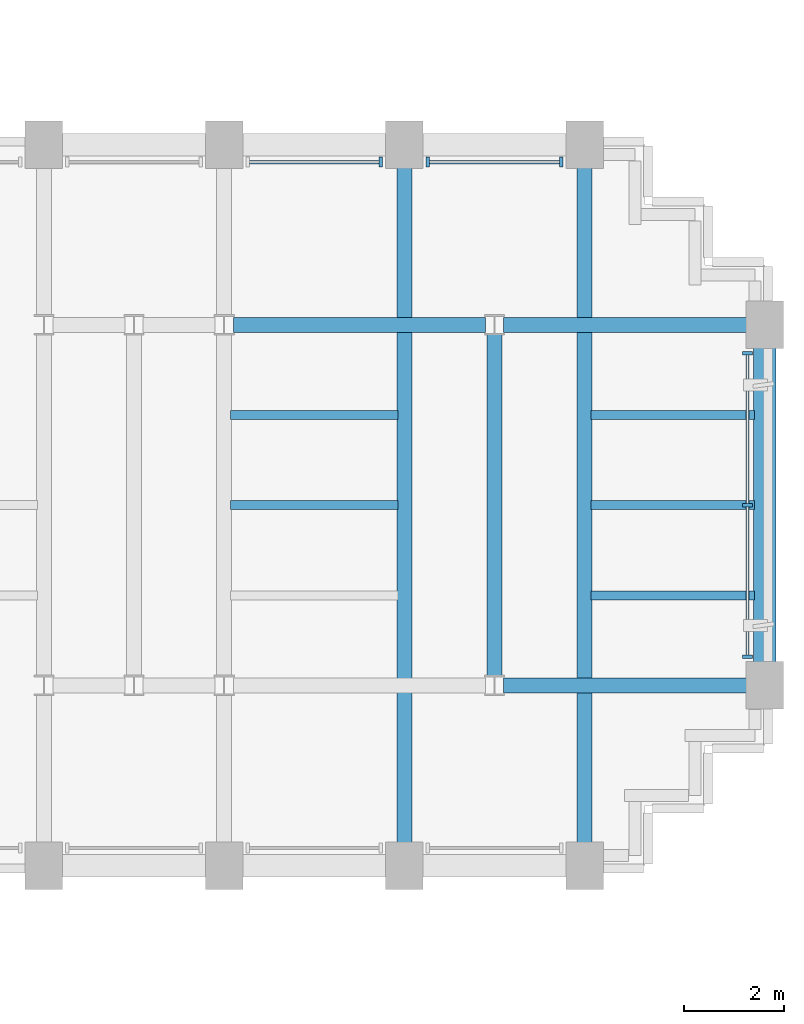
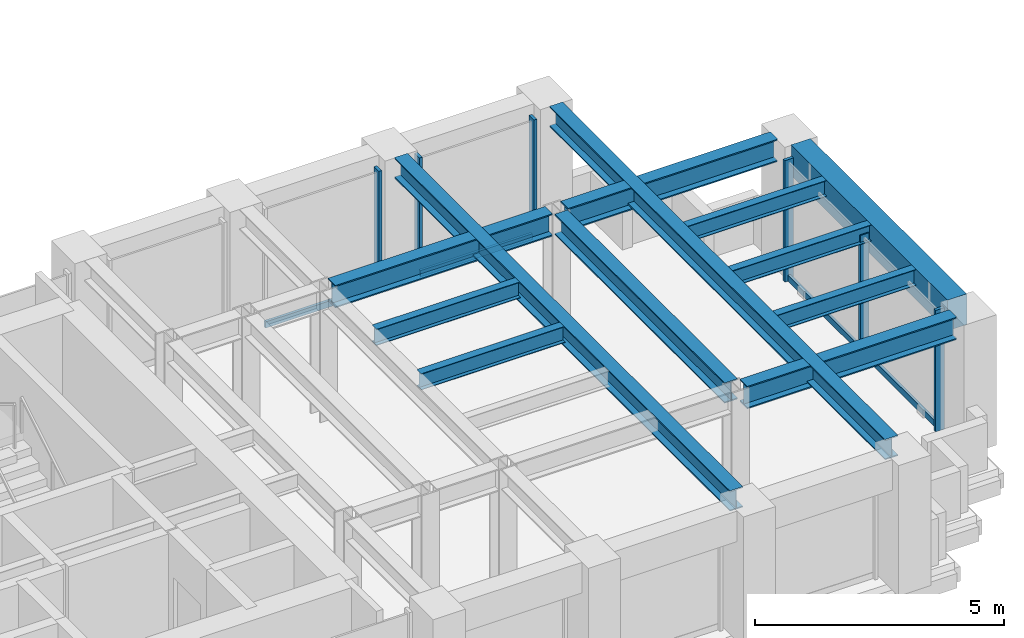
# One storey, part 6 of 16: 12 beams, 10 members, 3 elements without a shape of their own.
"""IFC4 building model written with IfcOpenShell, lengths in metres."""

from ifc_helpers import new_model, si_unit, direction, frame, origin, origin_2d, place, context, subcontext, project, spatial, rectangle, i_section, extrude, source, transform, mapped, material, material_profile, profile_set, type_object, element, aggregate, save


model = new_model("IFC4")

# Units and contexts
model_context = context("Model", 3, precision=1e-05, world=origin(), true_north=direction((0.0, 1.0)))
body_context = subcontext(model_context, "Body", "Model", "MODEL_VIEW")
ifc_project = project(units=[si_unit("LENGTHUNIT", "METRE"), si_unit("AREAUNIT", "SQUARE_METRE"), si_unit("VOLUMEUNIT", "CUBIC_METRE"), si_unit("PLANEANGLEUNIT", "RADIAN"), si_unit("MASSUNIT", "GRAM", prefix="KILO")], contexts=[model_context])

# Site, building, storey
site_placement = place(None, origin())
site = spatial("IfcSite", under=ifc_project, at=site_placement, CompositionType="ELEMENT")
building_placement = place(site_placement, origin())
building = spatial("IfcBuilding", under=site, at=building_placement, Name="Keilestroom Media Tower", CompositionType="ELEMENT")
storey_placement = place(building_placement, frame((0.0, 0.0, 71.39990234375)))
storey = spatial("IfcBuildingStorey", under=building, at=storey_placement, Name="L18", CompositionType="ELEMENT", Elevation=71.39990234375)

# Beams
ifc_material_1 = material(Name="Precast concrete C40/50", Category="concrete")
ifc_material_profile_1 = material_profile(ifc_material_1, rectangle(XDim=0.449951171875, YDim=0.75, at=origin_2d()), Name="PC 450x750")
ifc_profile_set_1 = profile_set([ifc_material_profile_1], Name="Precast concrete C40/50")
beam_type_1 = type_object("IfcBeamType", Name="Perimeter-Spandrel-Beam-PC-450x750", PredefinedType="SPANDREL", material=ifc_profile_set_1)
shared_shape_1 = source(origin(), body_context, "Body", "SweptSolid", [
    extrude(rectangle(XDim=0.449951171875, YDim=0.75, at=origin_2d()), origin(), (0.0, 0.0, 1.0), 6.2900390625),
])
beam_1_placement = place(storey_placement, frame((28.800048828125, -3.14501953125, 2.8251953125), z_axis=(0.0, 1.0, 0.0), x_axis=(-1.0, 0.0, 0.0)))
element("IfcBeam", 1, at=beam_1_placement, inside=storey, type_object=beam_type_1, Name="L18 Beam SPB-1 BM-L18-NS-086", PredefinedType="SPANDREL", context=body_context, shape_type="MappedRepresentation", body=[
    mapped(shared_shape_1, transform((0.0, 0.0, 0.0), x_axis=(1.0, 0.0, 0.0), y_axis=(0.0, 1.0, 0.0), z_axis=(0.0, 0.0, 1.0), scale=1.0)),
])
ifc_material_2 = material(Name="Steel S355", Category="steel")
ifc_material_profile_2 = material_profile(ifc_material_2, i_section(OverallWidth=0.300048828125, OverallDepth=0.550048828125, WebThickness=0.012939453125, FlangeThickness=0.029052734375, at=origin_2d()), Name="HEB 550")
ifc_profile_set_2 = profile_set([ifc_material_profile_2], Name="Steel S355")
beam_type_2 = type_object("IfcBeamType", Name="Primary-Structural-Girder-HEB-550", PredefinedType="BEAM", material=ifc_profile_set_2)
shared_shape_2 = source(origin(), body_context, "Body", "SweptSolid", [
    extrude(i_section(OverallWidth=0.300048828125, OverallDepth=0.550048828125, WebThickness=0.012939453125, FlangeThickness=0.029052734375, at=origin_2d()), origin(), (0.0, 0.0, 1.0), 4.863037109375),
])
for number, where, z_axis, x_axis, name in (
    (2, (23.58203125, -3.60009765625, 2.925048828125), (1.0, 0.0, 0.0), (0.0, 1.0, 0.0), "L18 Beam BG-5 BM-L18-EW-025"),
    (3, (23.58203125, 3.60009765625, 2.925048828125), (1.0, 0.0, 0.0), (0.0, 1.0, 0.0), "L18 Beam BG-5 BM-L18-EW-033"),
):
    element("IfcBeam", number, at=place(storey_placement, frame(where, z_axis=z_axis, x_axis=x_axis)), inside=storey, type_object=beam_type_2, Name=name, PredefinedType="BEAM", context=body_context, shape_type="MappedRepresentation", body=[
        mapped(shared_shape_2, transform((0.0, 0.0, 0.0), x_axis=(1.0, 0.0, 0.0), y_axis=(0.0, 1.0, 0.0), z_axis=(0.0, 0.0, 1.0), scale=1.0)),
    ])
shared_shape_3 = source(origin(), body_context, "Body", "SweptSolid", [
    extrude(i_section(OverallWidth=0.300048828125, OverallDepth=0.550048828125, WebThickness=0.012939453125, FlangeThickness=0.029052734375, at=origin_2d()), origin(), (0.0, 0.0, 1.0), 5.0361328125),
])
beam_2_placement = place(storey_placement, frame((18.181884765625, 3.60009765625, 2.925048828125), z_axis=(1.0, 0.0, 0.0), x_axis=(0.0, 1.0, 0.0)))
element("IfcBeam", 4, at=beam_2_placement, inside=storey, type_object=beam_type_2, Name="L18 Beam BG-5 BM-L18-EW-032", PredefinedType="BEAM", context=body_context, shape_type="MappedRepresentation", body=[
    mapped(shared_shape_3, transform((0.0, 0.0, 0.0), x_axis=(1.0, 0.0, 0.0), y_axis=(0.0, 1.0, 0.0), z_axis=(0.0, 0.0, 1.0), scale=1.0)),
])
ifc_material_profile_3 = material_profile(ifc_material_2, i_section(OverallWidth=0.300048828125, OverallDepth=0.5, WebThickness=0.012451171875, FlangeThickness=0.028076171875, at=origin_2d()), Name="HEB 500")
ifc_profile_set_3 = profile_set([ifc_material_profile_3], Name="Steel S355")
beam_type_3 = type_object("IfcBeamType", Name="Primary-Structural-Girder-HEB-500", PredefinedType="BEAM", material=ifc_profile_set_3)
shared_shape_4 = source(origin(), body_context, "Body", "SweptSolid", [
    extrude(i_section(OverallWidth=0.300048828125, OverallDepth=0.5, WebThickness=0.012451171875, FlangeThickness=0.028076171875, at=origin_2d()), origin(), (0.0, 0.0, 1.0), 13.490234375),
])
for number, where, z_axis, x_axis, name in (
    (5, (21.60009765625, -6.7451171875, 2.9501953125), (0.0, 1.0, 0.0), (-1.0, 0.0, 0.0), "L18 Beam BG-6 BM-L18-NS-083"),
    (6, (25.199951171875, -6.7451171875, 2.9501953125), (0.0, 1.0, 0.0), (-1.0, 0.0, 0.0), "L18 Beam BG-6 BM-L18-NS-085"),
):
    element("IfcBeam", number, at=place(storey_placement, frame(where, z_axis=z_axis, x_axis=x_axis)), inside=storey, type_object=beam_type_3, Name=name, PredefinedType="BEAM", context=body_context, shape_type="MappedRepresentation", body=[
        mapped(shared_shape_4, transform((0.0, 0.0, 0.0), x_axis=(1.0, 0.0, 0.0), y_axis=(0.0, 1.0, 0.0), z_axis=(0.0, 0.0, 1.0), scale=1.0)),
    ])
shared_shape_5 = source(origin(), body_context, "Body", "SweptSolid", [
    extrude(i_section(OverallWidth=0.300048828125, OverallDepth=0.5, WebThickness=0.012451171875, FlangeThickness=0.028076171875, at=origin_2d()), origin(), (0.0, 0.0, 1.0), 6.8330078125),
])
beam_3_placement = place(storey_placement, frame((23.39990234375, -3.41650390625, 2.9501953125), z_axis=(0.0, 1.0, 0.0), x_axis=(-1.0, 0.0, 0.0)))
element("IfcBeam", 7, at=beam_3_placement, inside=storey, type_object=beam_type_3, Name="L18 Beam BG-6 BM-L18-NS-084", PredefinedType="BEAM", context=body_context, shape_type="MappedRepresentation", body=[
    mapped(shared_shape_5, transform((0.0, 0.0, 0.0), x_axis=(1.0, 0.0, 0.0), y_axis=(0.0, 1.0, 0.0), z_axis=(0.0, 0.0, 1.0), scale=1.0)),
])
ifc_material_profile_4 = material_profile(ifc_material_2, i_section(OverallWidth=0.179931640625, OverallDepth=0.39990234375, WebThickness=0.008544921875, FlangeThickness=0.013427734375, at=origin_2d()), Name="IPE 400")
ifc_profile_set_4 = profile_set([ifc_material_profile_4], Name="Steel S355")
beam_type_4 = type_object("IfcBeamType", Name="Secondary-Floor-Joist-IPE-400", PredefinedType="JOIST", material=ifc_profile_set_4)
shared_shape_6 = source(origin(), body_context, "Body", "SweptSolid", [
    extrude(i_section(OverallWidth=0.179931640625, OverallDepth=0.39990234375, WebThickness=0.008544921875, FlangeThickness=0.013427734375, at=origin_2d()), origin(), (0.0, 0.0, 1.0), 3.264892578125),
])
for number, where, z_axis, x_axis, name in (
    (8, (25.330078125, -1.800048828125, 3.0), (1.0, 0.0, 0.0), (0.0, 1.0, 0.0), "L18 Beam BJ-4 JST-L18-095"),
    (9, (25.330078125, 0.0, 3.0), (1.0, 0.0, 0.0), (0.0, 1.0, 0.0), "L18 Beam BJ-4 JST-L18-102"),
    (10, (25.330078125, 1.800048828125, 3.0), (1.0, 0.0, 0.0), (0.0, 1.0, 0.0), "L18 Beam BJ-4 JST-L18-109"),
):
    element("IfcBeam", number, at=place(storey_placement, frame(where, z_axis=z_axis, x_axis=x_axis)), inside=storey, type_object=beam_type_4, Name=name, PredefinedType="JOIST", context=body_context, shape_type="MappedRepresentation", body=[
        mapped(shared_shape_6, transform((0.0, 0.0, 0.0), x_axis=(1.0, 0.0, 0.0), y_axis=(0.0, 1.0, 0.0), z_axis=(0.0, 0.0, 1.0), scale=1.0)),
    ])
shared_shape_7 = source(origin(), body_context, "Body", "SweptSolid", [
    extrude(i_section(OverallWidth=0.179931640625, OverallDepth=0.39990234375, WebThickness=0.008544921875, FlangeThickness=0.013427734375, at=origin_2d()), origin(), (0.0, 0.0, 1.0), 3.340087890625),
])
for number, where, z_axis, x_axis, name in (
    (11, (18.1298828125, 0.0, 3.0), (1.0, 0.0, 0.0), (0.0, 1.0, 0.0), "L18 Beam BJ-4 JST-L18-101"),
    (12, (18.1298828125, 1.800048828125, 3.0), (1.0, 0.0, 0.0), (0.0, 1.0, 0.0), "L18 Beam BJ-4 JST-L18-108"),
):
    element("IfcBeam", number, at=place(storey_placement, frame(where, z_axis=z_axis, x_axis=x_axis)), inside=storey, type_object=beam_type_4, Name=name, PredefinedType="JOIST", context=body_context, shape_type="MappedRepresentation", body=[
        mapped(shared_shape_7, transform((0.0, 0.0, 0.0), x_axis=(1.0, 0.0, 0.0), y_axis=(0.0, 1.0, 0.0), z_axis=(0.0, 0.0, 1.0), scale=1.0)),
    ])

# Curtain wall, members
ifc_material_3 = material(Name="Anodised Aluminium Alloy", Category="aluminium")
curtain_wall_type = type_object("IfcCurtainWallType", Name="Unitised-Curtain-Wall-CW-1", PredefinedType="NOTDEFINED", material=ifc_material_3)
curtain_wall_1_placement = place(storey_placement, origin())
curtain_wall_1 = element("IfcCurtainWall", 13, at=curtain_wall_1_placement, inside=storey, type_object=curtain_wall_type, Name="L18 Curtain Wall CW-1 CW-L18-E-1", PredefinedType="NOTDEFINED")
ifc_material_profile_5 = material_profile(ifc_material_3, rectangle(XDim=0.070068359375, YDim=0.199951171875, at=origin_2d()), Name="ALU MULLION 70x200")
ifc_profile_set_5 = profile_set([ifc_material_profile_5], Name="Anodised Aluminium Alloy")
member_type_1 = type_object("IfcMemberType", Name="Curtain-Wall-Mullion-CW-1", PredefinedType="MULLION", material=ifc_profile_set_5)
shared_shape_8 = source(origin(), body_context, "Body", "SweptSolid", [
    extrude(rectangle(XDim=0.070068359375, YDim=0.199951171875, at=origin_2d()), origin(), (0.0, 0.0, 1.0), 2.97998046875),
])
member_1_placement = place(storey_placement, frame((28.449951171875, -3.030029296875, 0.0), z_axis=(0.0, 0.0, 1.0), x_axis=(0.0, 1.0, 0.0)))
member_1 = element("IfcMember", 14, at=member_1_placement, type_object=member_type_1, Name="CW-1 Mullion 00", PredefinedType="MULLION", context=body_context, shape_type="MappedRepresentation", body=[
    mapped(shared_shape_8, transform((0.0, 0.0, 0.0), x_axis=(1.0, 0.0, 0.0), y_axis=(0.0, 1.0, 0.0), z_axis=(0.0, 0.0, 1.0), scale=1.0)),
])
member_2_placement = place(storey_placement, frame((28.449951171875, 0.0, 0.0), z_axis=(0.0, 0.0, 1.0), x_axis=(0.0, 1.0, 0.0)))
member_2 = element("IfcMember", 15, at=member_2_placement, type_object=member_type_1, Name="CW-1 Mullion 01", PredefinedType="MULLION", context=body_context, shape_type="MappedRepresentation", body=[
    mapped(shared_shape_8, transform((0.0, 0.0, 0.0), x_axis=(1.0, 0.0, 0.0), y_axis=(0.0, 1.0, 0.0), z_axis=(0.0, 0.0, 1.0), scale=1.0)),
])
member_3_placement = place(storey_placement, frame((28.449951171875, 3.030029296875, 0.0), z_axis=(0.0, 0.0, 1.0), x_axis=(0.0, 1.0, 0.0)))
member_3 = element("IfcMember", 16, at=member_3_placement, type_object=member_type_1, Name="CW-1 Mullion 02", PredefinedType="MULLION", context=body_context, shape_type="MappedRepresentation", body=[
    mapped(shared_shape_8, transform((0.0, 0.0, 0.0), x_axis=(1.0, 0.0, 0.0), y_axis=(0.0, 1.0, 0.0), z_axis=(0.0, 0.0, 1.0), scale=1.0)),
])

# Curtain wall, member
curtain_wall_2_placement = place(storey_placement, origin())
curtain_wall_2 = element("IfcCurtainWall", 17, at=curtain_wall_2_placement, inside=storey, type_object=curtain_wall_type, Name="L18 Curtain Wall CW-1 CW-L18-NE-3", PredefinedType="NOTDEFINED")
member_4_placement = place(storey_placement, frame((21.1298828125, 6.85009765625, 0.0), z_axis=(0.0, 0.0, 1.0), x_axis=(1.0, 0.0, 0.0)))
member_4 = element("IfcMember", 18, at=member_4_placement, type_object=member_type_1, Name="CW-1 Mullion 01", PredefinedType="MULLION", context=body_context, shape_type="MappedRepresentation", body=[
    mapped(shared_shape_8, transform((0.0, 0.0, 0.0), x_axis=(1.0, 0.0, 0.0), y_axis=(0.0, 1.0, 0.0), z_axis=(0.0, 0.0, 1.0), scale=1.0)),
])

# Curtain wall, members
curtain_wall_3_placement = place(storey_placement, origin())
curtain_wall_3 = element("IfcCurtainWall", 19, at=curtain_wall_3_placement, inside=storey, type_object=curtain_wall_type, Name="L18 Curtain Wall CW-1 CW-L18-NE-4", PredefinedType="NOTDEFINED")
member_5_placement = place(storey_placement, frame((22.070068359375, 6.85009765625, 0.0), z_axis=(0.0, 0.0, 1.0), x_axis=(1.0, 0.0, 0.0)))
member_5 = element("IfcMember", 20, at=member_5_placement, type_object=member_type_1, Name="CW-1 Mullion 00", PredefinedType="MULLION", context=body_context, shape_type="MappedRepresentation", body=[
    mapped(shared_shape_8, transform((0.0, 0.0, 0.0), x_axis=(1.0, 0.0, 0.0), y_axis=(0.0, 1.0, 0.0), z_axis=(0.0, 0.0, 1.0), scale=1.0)),
])
member_6_placement = place(storey_placement, frame((24.72998046875, 6.85009765625, 0.0), z_axis=(0.0, 0.0, 1.0), x_axis=(1.0, 0.0, 0.0)))
member_6 = element("IfcMember", 21, at=member_6_placement, type_object=member_type_1, Name="CW-1 Mullion 01", PredefinedType="MULLION", context=body_context, shape_type="MappedRepresentation", body=[
    mapped(shared_shape_8, transform((0.0, 0.0, 0.0), x_axis=(1.0, 0.0, 0.0), y_axis=(0.0, 1.0, 0.0), z_axis=(0.0, 0.0, 1.0), scale=1.0)),
])

# Member
ifc_material_profile_6 = material_profile(ifc_material_3, rectangle(XDim=0.06494140625, YDim=0.14990234375, at=origin_2d()), Name="ALU TRANSOM 65x150")
ifc_profile_set_6 = profile_set([ifc_material_profile_6], Name="Anodised Aluminium Alloy")
member_type_2 = type_object("IfcMemberType", Name="Curtain-Wall-Transom-CW-1", PredefinedType="USERDEFINED", material=ifc_profile_set_6)
shared_shape_9 = source(origin(), body_context, "Body", "SweptSolid", [
    extrude(rectangle(XDim=0.06494140625, YDim=0.14990234375, at=origin_2d()), origin(), (0.0, 0.0, 1.0), 2.964111328125),
])
member_7_placement = place(storey_placement, frame((28.449951171875, -2.9970703125, 0.0751953125), z_axis=(0.0, 1.0, 0.0), x_axis=(-1.0, 0.0, 0.0)))
member_7 = element("IfcMember", 22, at=member_7_placement, type_object=member_type_2, Name="CW-1 Transom 00.1", ObjectType="TRANSOM", PredefinedType="USERDEFINED", context=body_context, shape_type="MappedRepresentation", body=[
    mapped(shared_shape_9, transform((0.0, 0.0, 0.0), x_axis=(1.0, 0.0, 0.0), y_axis=(0.0, 1.0, 0.0), z_axis=(0.0, 0.0, 1.0), scale=1.0)),
])

member_8_placement = place(storey_placement, frame((28.449951171875, 0.032958984375, 0.0751953125), z_axis=(0.0, 1.0, 0.0), x_axis=(-1.0, 0.0, 0.0)))
member_8 = element("IfcMember", 23, at=member_8_placement, type_object=member_type_2, Name="CW-1 Transom 01.1", ObjectType="TRANSOM", PredefinedType="USERDEFINED", context=body_context, shape_type="MappedRepresentation", body=[
    mapped(shared_shape_9, transform((0.0, 0.0, 0.0), x_axis=(1.0, 0.0, 0.0), y_axis=(0.0, 1.0, 0.0), z_axis=(0.0, 0.0, 1.0), scale=1.0)),
])

aggregate(curtain_wall_1, [member_1, member_2, member_3, member_7, member_8])

shared_shape_10 = source(origin(), body_context, "Body", "SweptSolid", [
    extrude(rectangle(XDim=0.06494140625, YDim=0.14990234375, at=origin_2d()), origin(), (0.0, 0.0, 1.0), 2.593994140625),
])
member_9_placement = place(storey_placement, frame((18.5029296875, 6.85009765625, 0.0751953125), z_axis=(1.0, 0.0, 0.0), x_axis=(0.0, 1.0, 0.0)))
member_9 = element("IfcMember", 24, at=member_9_placement, type_object=member_type_2, Name="CW-1 Transom 00.1", ObjectType="TRANSOM", PredefinedType="USERDEFINED", context=body_context, shape_type="MappedRepresentation", body=[
    mapped(shared_shape_10, transform((0.0, 0.0, 0.0), x_axis=(1.0, 0.0, 0.0), y_axis=(0.0, 1.0, 0.0), z_axis=(0.0, 0.0, 1.0), scale=1.0)),
])

aggregate(curtain_wall_2, [member_4, member_9])

member_10_placement = place(storey_placement, frame((22.10302734375, 6.85009765625, 0.0751953125), z_axis=(1.0, 0.0, 0.0), x_axis=(0.0, 1.0, 0.0)))
member_10 = element("IfcMember", 25, at=member_10_placement, type_object=member_type_2, Name="CW-1 Transom 00.1", ObjectType="TRANSOM", PredefinedType="USERDEFINED", context=body_context, shape_type="MappedRepresentation", body=[
    mapped(shared_shape_10, transform((0.0, 0.0, 0.0), x_axis=(1.0, 0.0, 0.0), y_axis=(0.0, 1.0, 0.0), z_axis=(0.0, 0.0, 1.0), scale=1.0)),
])

aggregate(curtain_wall_3, [member_5, member_6, member_10])

save(model, "model.ifc")
